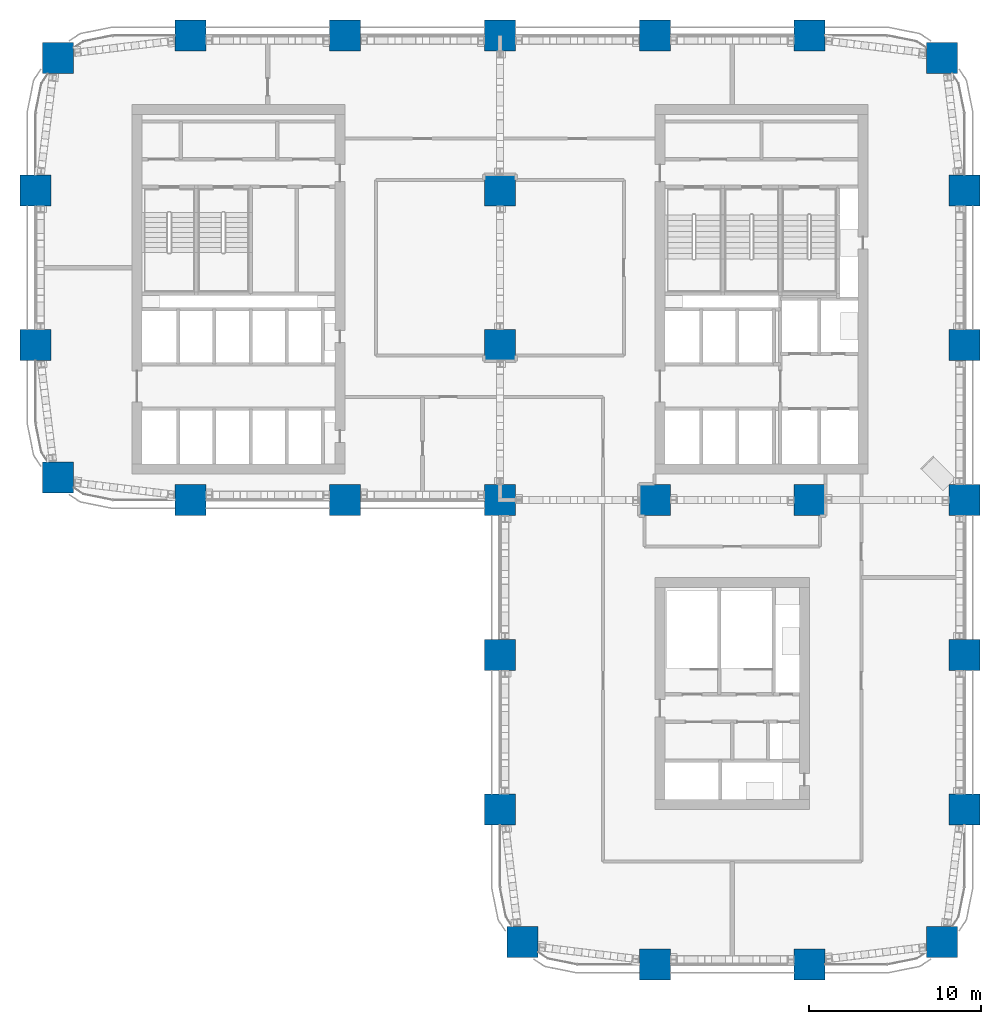
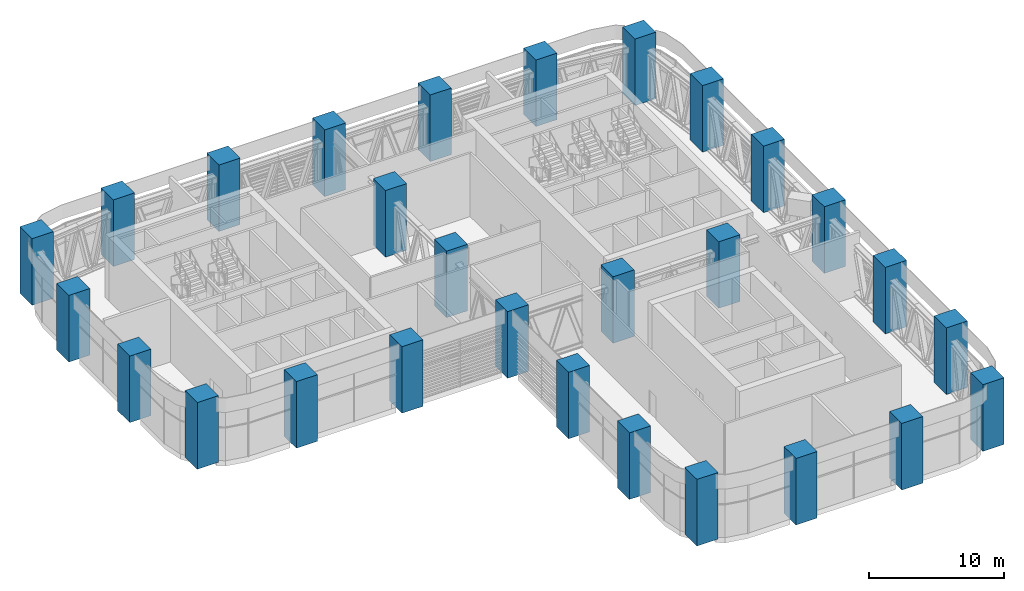
# One storey, part 1 of 24: 28 columns.
"""IFC4 building model written with IfcOpenShell, lengths in metres."""

from ifc_helpers import new_model, si_unit, direction, frame, origin, origin_2d, place, context, subcontext, project, spatial, rectangle, extrude, material, material_profile, profile_set, type_object, element, save


model = new_model("IFC4")

# Units and contexts
model_context = context("Model", 3, precision=1e-05, world=origin(), true_north=direction((0.0, 1.0)))
body_context = subcontext(model_context, "Body", "Model", "MODEL_VIEW")
ifc_project = project(units=[si_unit("LENGTHUNIT", "METRE"), si_unit("AREAUNIT", "SQUARE_METRE"), si_unit("VOLUMEUNIT", "CUBIC_METRE"), si_unit("PLANEANGLEUNIT", "RADIAN"), si_unit("MASSUNIT", "GRAM", prefix="KILO")], contexts=[model_context])

# Site, building, storey
site_placement = place(None, origin())
site = spatial("IfcSite", under=ifc_project, at=site_placement, CompositionType="ELEMENT")
building_placement = place(site_placement, origin())
building = spatial("IfcBuilding", under=site, at=building_placement, Name="Tessera Arch", CompositionType="ELEMENT")
storey_placement = place(building_placement, frame((0.0, 0.0, 123.39990234375)))
storey = spatial("IfcBuildingStorey", under=building, at=storey_placement, Name="L29", CompositionType="ELEMENT", Elevation=123.39990234375)

# Columns
ifc_material = material(Name="Concrete C80/95", Category="concrete")
ifc_material_profile = material_profile(ifc_material, rectangle(XDim=1.800048828125, YDim=1.800048828125, at=origin_2d()), Name="RC column 1800 x 1800 Concrete C80/95")
ifc_profile_set = profile_set([ifc_material_profile], Name="Concrete C80/95")
column_type = type_object("IfcColumnType", Name="RC column 1800 x 1800 Concrete C80/95", PredefinedType="COLUMN", material=ifc_profile_set)
for number, where, z_axis, x_axis, name in (
    (1, (1.318115234375, 28.318115234375, 0.0), (0.0, 0.0, 1.0), (1.0, 0.0, 0.0), "Column C1D L29"),
    (2, (0.0, 36.0, 0.0), (0.0, 0.0, 1.0), (1.0, 0.0, 0.0), "Column C1E L29"),
    (3, (0.0, 45.0, 0.0), (0.0, 0.0, 1.0), (1.0, 0.0, 0.0), "Column C1F L29"),
    (4, (1.318115234375, 52.681884765625, 0.0), (0.0, 0.0, 1.0), (1.0, 0.0, 0.0), "Column C1G L29"),
    (5, (9.0, 27.0, 0.0), (0.0, 0.0, 1.0), (1.0, 0.0, 0.0), "Column C2D L29"),
    (6, (9.0, 54.0, 0.0), (0.0, 0.0, 1.0), (1.0, 0.0, 0.0), "Column C2G L29"),
    (7, (18.0, 27.0, 0.0), (0.0, 0.0, 1.0), (1.0, 0.0, 0.0), "Column C3D L29"),
    (8, (18.0, 54.0, 0.0), (0.0, 0.0, 1.0), (1.0, 0.0, 0.0), "Column C3G L29"),
    (9, (28.318115234375, 1.318115234375, 0.0), (0.0, 0.0, 1.0), (1.0, 0.0, 0.0), "Column C4A L29"),
    (10, (27.0, 9.0, 0.0), (0.0, 0.0, 1.0), (1.0, 0.0, 0.0), "Column C4B L29"),
    (11, (27.0, 18.0, 0.0), (0.0, 0.0, 1.0), (1.0, 0.0, 0.0), "Column C4C L29"),
    (12, (27.0, 27.0, 0.0), (0.0, 0.0, 1.0), (1.0, 0.0, 0.0), "Column C4D L29"),
    (13, (27.0, 36.0, 0.0), (0.0, 0.0, 1.0), (1.0, 0.0, 0.0), "Column C4E L29"),
    (14, (27.0, 45.0, 0.0), (0.0, 0.0, 1.0), (1.0, 0.0, 0.0), "Column C4F L29"),
    (15, (27.0, 54.0, 0.0), (0.0, 0.0, 1.0), (1.0, 0.0, 0.0), "Column C4G L29"),
    (16, (36.0, 0.0, 0.0), (0.0, 0.0, 1.0), (1.0, 0.0, 0.0), "Column C5A L29"),
    (17, (36.0, 27.0, 0.0), (0.0, 0.0, 1.0), (1.0, 0.0, 0.0), "Column C5D L29"),
    (18, (36.0, 54.0, 0.0), (0.0, 0.0, 1.0), (1.0, 0.0, 0.0), "Column C5G L29"),
    (19, (45.0, 0.0, 0.0), (0.0, 0.0, 1.0), (1.0, 0.0, 0.0), "Column C6A L29"),
    (20, (45.0, 27.0, 0.0), (0.0, 0.0, 1.0), (1.0, 0.0, 0.0), "Column C6D L29"),
    (21, (45.0, 54.0, 0.0), (0.0, 0.0, 1.0), (1.0, 0.0, 0.0), "Column C6G L29"),
    (22, (52.681884765625, 1.318115234375, 0.0), (0.0, 0.0, 1.0), (1.0, 0.0, 0.0), "Column C7A L29"),
    (23, (54.0, 9.0, 0.0), (0.0, 0.0, 1.0), (1.0, 0.0, 0.0), "Column C7B L29"),
    (24, (54.0, 18.0, 0.0), (0.0, 0.0, 1.0), (1.0, 0.0, 0.0), "Column C7C L29"),
    (25, (54.0, 27.0, 0.0), (0.0, 0.0, 1.0), (1.0, 0.0, 0.0), "Column C7D L29"),
    (26, (54.0, 36.0, 0.0), (0.0, 0.0, 1.0), (1.0, 0.0, 0.0), "Column C7E L29"),
    (27, (54.0, 45.0, 0.0), (0.0, 0.0, 1.0), (1.0, 0.0, 0.0), "Column C7F L29"),
    (28, (52.681884765625, 52.681884765625, 0.0), (0.0, 0.0, 1.0), (1.0, 0.0, 0.0), "Column C7G L29"),
):
    element("IfcColumn", number, at=place(storey_placement, frame(where, z_axis=z_axis, x_axis=x_axis)), inside=storey, type_object=column_type, Name=name, PredefinedType="COLUMN", context=body_context, shape_type="SweptSolid", body=[
        extrude(rectangle(XDim=1.800048828125, YDim=1.800048828125, at=origin_2d()), origin(), (0.0, 0.0, 1.0), 6.0),
    ])

save(model, "model.ifc")
